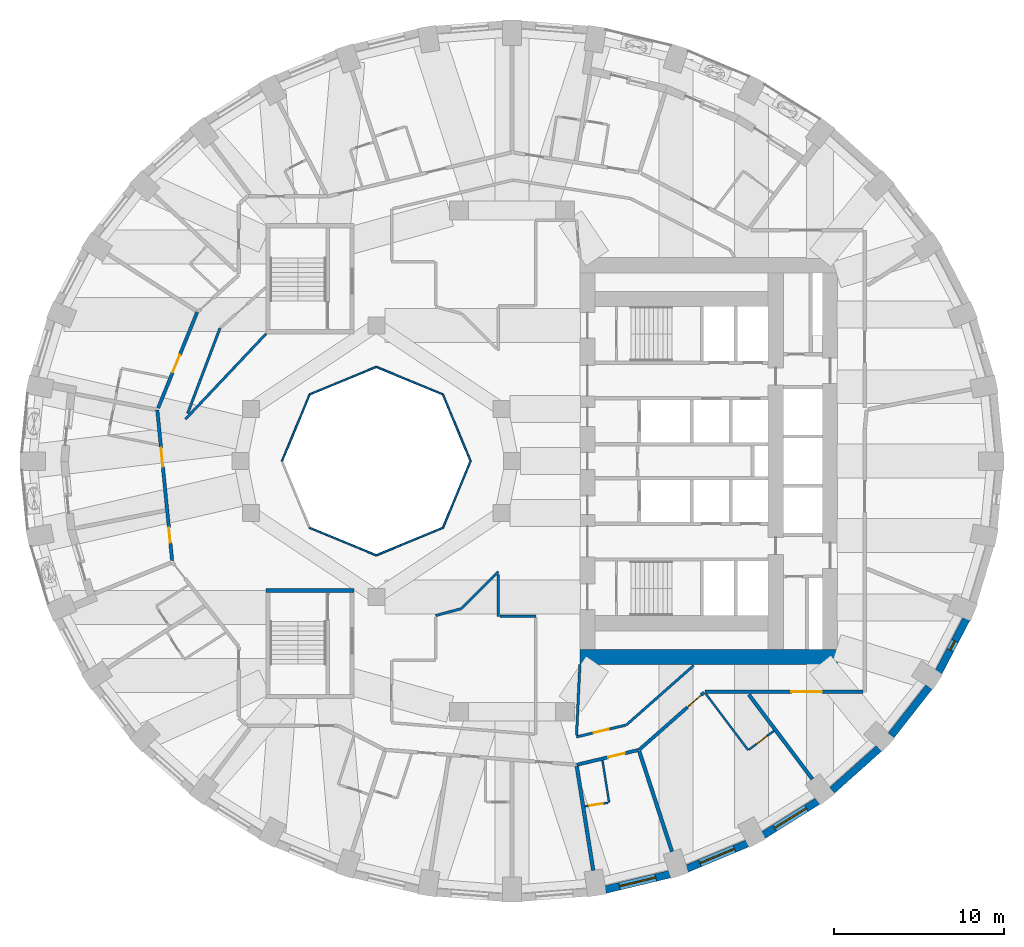
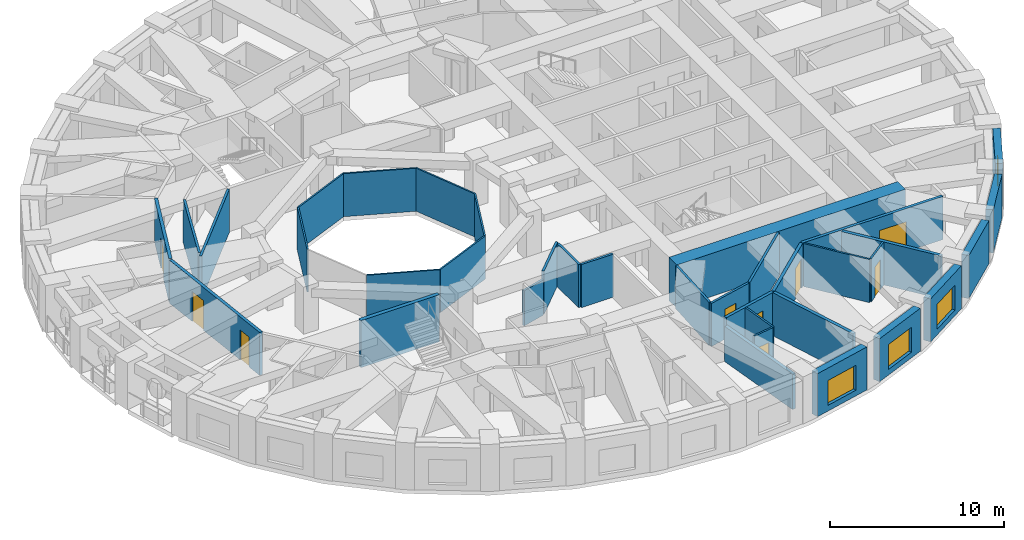
# One storey, part 5 of 13: 36 walls, 9 doors, 4 windows, 13 openings.
"""IFC4 building model written with IfcOpenShell, lengths in metres."""

from ifc_helpers import new_model, si_unit, direction, frame, frame_2d, origin, place, context, subcontext, project, spatial, rectangle, extrude, material, layer, layer_set, type_object, element, fill, save


model = new_model("IFC4")

# Units and contexts
model_context = context("Model", 3, precision=1e-05, world=origin(), true_north=direction((0.0, 1.0)))
body_context = subcontext(model_context, "Body", "Model", "MODEL_VIEW")
ifc_project = project(units=[si_unit("LENGTHUNIT", "METRE"), si_unit("AREAUNIT", "SQUARE_METRE"), si_unit("VOLUMEUNIT", "CUBIC_METRE"), si_unit("PLANEANGLEUNIT", "RADIAN"), si_unit("MASSUNIT", "GRAM", prefix="KILO")], contexts=[model_context])

# Site, building, storey
site_placement = place(None, origin())
site = spatial("IfcSite", under=ifc_project, at=site_placement, CompositionType="ELEMENT")
building_placement = place(site_placement, origin())
building = spatial("IfcBuilding", under=site, at=building_placement, Name="Taillehof Tower", CompositionType="ELEMENT")
storey_placement = place(building_placement, frame((0.0, 0.0, 67.89990234375)))
storey = spatial("IfcBuildingStorey", under=building, at=storey_placement, Name="L18", CompositionType="ELEMENT", Elevation=67.89990234375)

# Walls
ifc_material_1 = material(Name="Fire-resisting glass in steel frame", Category="steel")
ifc_layer_1 = layer(ifc_material_1, 0.10009765625)
ifc_layer_set_1 = layer_set([ifc_layer_1], Name="Atrium fire-resisting screen EI 60 100")
wall_type_1 = type_object("IfcWallType", Name="Atrium fire-resisting screen EI 60 100", PredefinedType="PARTITIONING", material=ifc_layer_set_1)
for number, where, z_axis, x_axis, name in (
    (1, (-2.44580078125, 0.0, 0.0), (0.0, 0.0, 1.0), (-0.382730523909, -0.923860025149, 0.0), "Atrium screen"),
    (2, (-4.07275390625, -3.92724609375, 0.0), (0.0, 0.0, 1.0), (-0.923860025149, -0.382730523909, 0.0), "Atrium screen"),
    (3, (-8.0, -5.55419921875, 0.0), (0.0, 0.0, 1.0), (-0.923860025149, 0.382730523909, 0.0), "Atrium screen"),
    (4, (-13.55419921875, 0.0, 0.0), (0.0, 0.0, 1.0), (0.382730523909, 0.923860025149, 0.0), "Atrium screen"),
    (5, (-11.92724609375, 3.92724609375, 0.0), (0.0, 0.0, 1.0), (0.923860025149, 0.382730523909, 0.0), "Atrium screen"),
    (6, (-8.0, 5.55419921875, 0.0), (0.0, 0.0, 1.0), (0.923860025149, -0.382730523909, 0.0), "Atrium screen"),
    (7, (-4.07275390625, 3.92724609375, 0.0), (0.0, 0.0, 1.0), (0.382730523909, -0.923860025149, 0.0), "Atrium screen"),
):
    element("IfcWall", number, at=place(storey_placement, frame(where, z_axis=z_axis, x_axis=x_axis)), inside=storey, type_object=wall_type_1, Name=name, PredefinedType="PARTITIONING", context=body_context, shape_type="SweptSolid", body=[
        extrude(rectangle(XDim=4.2509765625, YDim=0.10009765625, at=frame_2d((2.12548828125, 0.0))), origin(), (0.0, 0.0, 1.0), 3.02001953125),
    ])

# Wall, opening, window
ifc_material_2 = material(Name="Brick masonry", Category="masonry")
ifc_layer_2 = layer(ifc_material_2, 0.449951171875)
ifc_layer_set_2 = layer_set([ifc_layer_2], Name="Brick infill wall 450")
wall_type_2 = type_object("IfcWallType", Name="Brick infill wall 450", PredefinedType="SOLIDWALL", material=ifc_layer_set_2)
wall_1_placement = place(storey_placement, frame((5.50439453125, -25.260498046875, 0.0), z_axis=(0.0, 0.0, 1.0), x_axis=(0.972496561493, 0.232917233979, 0.0)))
wall_1 = element("IfcWall", 8, at=wall_1_placement, inside=storey, type_object=wall_type_2, Name="Brick wall L18 bay 29", PredefinedType="SOLIDWALL", context=body_context, shape_type="SweptSolid", body=[
    extrude(rectangle(XDim=3.910888671875, YDim=0.449951171875, at=frame_2d((1.95556640625, 0.0))), origin(), (0.0, 0.0, 1.0), 3.02001953125),
])
opening_1_placement = place(wall_1_placement, frame((0.855224609375, 0.0, 0.39990234375)))
opening_1 = element("IfcOpeningElement", 9, at=opening_1_placement, cuts=wall_1, Name="Opening W1", PredefinedType="OPENING", context=body_context, shape_type="SweptSolid", body=[
    extrude(rectangle(XDim=2.199951171875, YDim=1.75, at=frame_2d((1.10009765625, 0.875))), frame((0.0, 0.23486328125, 0.0), z_axis=(0.0, -1.0, 0.0), x_axis=(1.0, 0.0, 0.0)), (0.0, 0.0, 1.0), 0.469970703125),
])
ifc_material_3 = material(Name="Aluminium window frame with clear double glazing", Category="aluminium")
window_type_1 = type_object("IfcWindowType", Name="Deep-set window 2200x1750", PartitioningType="SINGLE_PANEL", PredefinedType="WINDOW", material=ifc_material_3)
window_1_placement = place(opening_1_placement, origin())
window_1 = element("IfcWindow", 10, at=window_1_placement, inside=storey, type_object=window_type_1, Name="W1", OverallHeight=1.75, OverallWidth=2.199951171875, PartitioningType="SINGLE_PANEL", PredefinedType="WINDOW", context=body_context, shape_type="SweptSolid", body=[
    extrude(rectangle(XDim=2.199951171875, YDim=1.75, at=frame_2d((1.10009765625, 0.875))), frame((0.0, 0.034912109375, 0.0), z_axis=(0.0, -1.0, 0.0), x_axis=(1.0, 0.0, 0.0)), (0.0, 0.0, 1.0), 0.06005859375),
])
fill(opening_1, window_1)

wall_2_placement = place(storey_placement, frame((10.3154296875, -24.02099609375, 0.0), z_axis=(0.0, 0.0, 1.0), x_axis=(0.923031964282, 0.384723267966, 0.0)))
wall_2 = element("IfcWall", 11, at=wall_2_placement, inside=storey, type_object=wall_type_2, Name="Brick wall L18 bay 30", PredefinedType="SOLIDWALL", context=body_context, shape_type="SweptSolid", body=[
    extrude(rectangle(XDim=3.8564453125, YDim=0.449951171875, at=frame_2d((1.92822265625, 0.0))), origin(), (0.0, 0.0, 1.0), 3.02001953125),
])
opening_2_placement = place(wall_2_placement, frame((0.828125, 0.0, 0.39990234375)))
opening_2 = element("IfcOpeningElement", 12, at=opening_2_placement, cuts=wall_2, Name="Opening W1", PredefinedType="OPENING", context=body_context, shape_type="SweptSolid", body=[
    extrude(rectangle(XDim=2.199951171875, YDim=1.75, at=frame_2d((1.10009765625, 0.875))), frame((0.0, 0.23486328125, 0.0), z_axis=(0.0, -1.0, 0.0), x_axis=(1.0, 0.0, 0.0)), (0.0, 0.0, 1.0), 0.469970703125),
])
window_2_placement = place(opening_2_placement, origin())
window_2 = element("IfcWindow", 13, at=window_2_placement, inside=storey, type_object=window_type_1, Name="W1", OverallHeight=1.75, OverallWidth=2.199951171875, PartitioningType="SINGLE_PANEL", PredefinedType="WINDOW", context=body_context, shape_type="SweptSolid", body=[
    extrude(rectangle(XDim=2.199951171875, YDim=1.75, at=frame_2d((1.10009765625, 0.875))), frame((0.0, 0.034912109375, 0.0), z_axis=(0.0, -1.0, 0.0), x_axis=(1.0, 0.0, 0.0)), (0.0, 0.0, 1.0), 0.06005859375),
])
fill(opening_2, window_2)

wall_3_placement = place(storey_placement, frame((14.81689453125, -22.050537109375, 0.0), z_axis=(0.0, 0.0, 1.0), x_axis=(0.847635480093, 0.530579016629, 0.0)))
wall_3 = element("IfcWall", 14, at=wall_3_placement, inside=storey, type_object=wall_type_2, Name="Brick wall L18 bay 31", PredefinedType="SOLIDWALL", context=body_context, shape_type="SweptSolid", body=[
    extrude(rectangle(XDim=3.782470703125, YDim=0.449951171875, at=frame_2d((1.89111328125, 0.0))), origin(), (0.0, 0.0, 1.0), 3.02001953125),
])
opening_3_placement = place(wall_3_placement, frame((0.791259765625, 0.0, 0.39990234375)))
opening_3 = element("IfcOpeningElement", 15, at=opening_3_placement, cuts=wall_3, Name="Opening W1", PredefinedType="OPENING", context=body_context, shape_type="SweptSolid", body=[
    extrude(rectangle(XDim=2.199951171875, YDim=1.75, at=frame_2d((1.10009765625, 0.875))), frame((0.0, 0.23486328125, 0.0), z_axis=(0.0, -1.0, 0.0), x_axis=(1.0, 0.0, 0.0)), (0.0, 0.0, 1.0), 0.469970703125),
])
window_3_placement = place(opening_3_placement, origin())
window_3 = element("IfcWindow", 16, at=window_3_placement, inside=storey, type_object=window_type_1, Name="W1", OverallHeight=1.75, OverallWidth=2.199951171875, PartitioningType="SINGLE_PANEL", PredefinedType="WINDOW", context=body_context, shape_type="SweptSolid", body=[
    extrude(rectangle(XDim=2.199951171875, YDim=1.75, at=frame_2d((1.10009765625, 0.875))), frame((0.0, 0.034912109375, 0.0), z_axis=(0.0, -1.0, 0.0), x_axis=(1.0, 0.0, 0.0)), (0.0, 0.0, 1.0), 0.06005859375),
])
fill(opening_3, window_3)

# Walls
wall_4_placement = place(storey_placement, frame((18.87060546875, -19.406982421875, 0.0), z_axis=(0.0, 0.0, 1.0), x_axis=(0.745526233716, 0.66647628228, 0.0)))
element("IfcWall", 17, at=wall_4_placement, inside=storey, type_object=wall_type_2, Name="Brick wall L18 bay 32", PredefinedType="SOLIDWALL", context=body_context, shape_type="SweptSolid", body=[
    extrude(rectangle(XDim=3.69677734375, YDim=0.449951171875, at=frame_2d((1.848388671875, 0.0))), origin(), (0.0, 0.0, 1.0), 3.02001953125),
])
wall_5_placement = place(storey_placement, frame((22.3515625, -16.169677734375, 0.0), z_axis=(0.0, 0.0, 1.0), x_axis=(0.616661975264, 0.787228053529, 0.0)))
element("IfcWall", 18, at=wall_5_placement, inside=storey, type_object=wall_type_2, Name="Brick wall L18 bay 33", PredefinedType="SOLIDWALL", context=body_context, shape_type="SweptSolid", body=[
    extrude(rectangle(XDim=3.60986328125, YDim=0.449951171875, at=frame_2d((1.804931640625, 0.0))), origin(), (0.0, 0.0, 1.0), 3.02001953125),
])

# Wall, opening, window
wall_6_placement = place(storey_placement, frame((25.152099609375, -12.436767578125, 0.0), z_axis=(0.0, 0.0, 1.0), x_axis=(0.462492775226, 0.886623050041, 0.0)))
wall_6 = element("IfcWall", 19, at=wall_6_placement, inside=storey, type_object=wall_type_2, Name="Brick wall L18 bay 34", PredefinedType="SOLIDWALL", context=body_context, shape_type="SweptSolid", body=[
    extrude(rectangle(XDim=3.531982421875, YDim=0.449951171875, at=frame_2d((1.76611328125, 0.0))), origin(), (0.0, 0.0, 1.0), 3.02001953125),
])
opening_4_placement = place(wall_6_placement, frame((1.466064453125, 0.0, 0.39990234375)))
opening_4 = element("IfcOpeningElement", 20, at=opening_4_placement, cuts=wall_6, Name="Opening W6", PredefinedType="OPENING", context=body_context, shape_type="SweptSolid", body=[
    extrude(rectangle(XDim=0.60009765625, YDim=1.75, at=frame_2d((0.300048828125, 0.875))), frame((0.0, 0.23486328125, 0.0), z_axis=(0.0, -1.0, 0.0), x_axis=(1.0, 0.0, 0.0)), (0.0, 0.0, 1.0), 0.469970703125),
])
ifc_material_4 = material(Name="Aluminium window frame with clear double glazing", Category="aluminium")
window_type_2 = type_object("IfcWindowType", Name="Slot window 600x1750", PartitioningType="SINGLE_PANEL", PredefinedType="WINDOW", material=ifc_material_4)
window_4_placement = place(opening_4_placement, origin())
window_4 = element("IfcWindow", 21, at=window_4_placement, inside=storey, type_object=window_type_2, Name="W6", OverallHeight=1.75, OverallWidth=0.60009765625, PartitioningType="SINGLE_PANEL", PredefinedType="WINDOW", context=body_context, shape_type="SweptSolid", body=[
    extrude(rectangle(XDim=0.60009765625, YDim=1.75, at=frame_2d((0.300048828125, 0.875))), frame((0.0, 0.034912109375, 0.0), z_axis=(0.0, -1.0, 0.0), x_axis=(1.0, 0.0, 0.0)), (0.0, 0.0, 1.0), 0.06005859375),
])
fill(opening_4, window_4)

# Wall, opening, door
ifc_material_5 = material(Name="Gypsum board on steel studs, two layers each side", Category="steel")
ifc_layer_3 = layer(ifc_material_5, 0.199951171875)
ifc_layer_set_3 = layer_set([ifc_layer_3], Name="Compartment wall corridor 200")
wall_type_3 = type_object("IfcWallType", Name="Compartment wall corridor 200", PredefinedType="PARTITIONING", material=ifc_layer_set_3)
wall_7_placement = place(storey_placement, frame((20.699951171875, -13.60009765625, 0.0), z_axis=(0.0, 0.0, 1.0), x_axis=(-1.0, 0.0, 0.0)))
wall_7 = element("IfcWall", 22, at=wall_7_placement, inside=storey, type_object=wall_type_3, Name="Compartment wall", PredefinedType="PARTITIONING", context=body_context, shape_type="SweptSolid", body=[
    extrude(rectangle(XDim=9.3310546875, YDim=0.199951171875, at=frame_2d((4.66552734375, 0.0))), origin(), (0.0, 0.0, 1.0), 3.02001953125),
])
opening_5_placement = place(wall_7_placement, frame((2.436279296875, 0.0, 0.0)))
opening_5 = element("IfcOpeningElement", 23, at=opening_5_placement, cuts=wall_7, Name="Opening D1875", PredefinedType="OPENING", context=body_context, shape_type="SweptSolid", body=[
    extrude(rectangle(XDim=1.800048828125, YDim=2.10009765625, at=frame_2d((0.89990234375, 1.050048828125))), frame((0.0, 0.10986328125, 0.0), z_axis=(0.0, -1.0, 0.0), x_axis=(1.0, 0.0, 0.0)), (0.0, 0.0, 1.0), 0.219970703125),
])
ifc_material_6 = material(Name="Timber door leaf in steel frame", Category="steel")
door_type_1 = type_object("IfcDoorType", Name="Lounge and meeting room double door EI 30 1800 x 2100", OperationType="SINGLE_SWING_LEFT", PredefinedType="DOOR", material=ifc_material_6)
door_1_placement = place(opening_5_placement, origin())
door_1 = element("IfcDoor", 24, at=door_1_placement, inside=storey, type_object=door_type_1, Name="D1875", OperationType="DOUBLE_DOOR_SINGLE_SWING", OverallHeight=2.10009765625, OverallWidth=1.800048828125, PredefinedType="DOOR", context=body_context, shape_type="SweptSolid", body=[
    extrude(rectangle(XDim=1.800048828125, YDim=2.10009765625, at=frame_2d((0.89990234375, 1.050048828125))), frame((0.0, 0.02490234375, 0.0), z_axis=(0.0, -1.0, 0.0), x_axis=(1.0, 0.0, 0.0)), (0.0, 0.0, 1.0), 0.050048828125),
])
fill(opening_5, door_1)

wall_8_placement = place(storey_placement, frame((11.32421875, -13.6396484375, 0.0), z_axis=(0.0, 0.0, 1.0), x_axis=(-0.749661905767, -0.661820993201, 0.0)))
wall_8 = element("IfcWall", 25, at=wall_8_placement, inside=storey, type_object=wall_type_3, Name="Compartment wall", PredefinedType="PARTITIONING", context=body_context, shape_type="SweptSolid", body=[
    extrude(rectangle(XDim=5.102783203125, YDim=0.199951171875, at=frame_2d((2.55126953125, 0.0))), origin(), (0.0, 0.0, 1.0), 3.02001953125),
])
opening_6_placement = place(wall_8_placement, frame((0.219970703125, 0.0, 0.0)))
opening_6 = element("IfcOpeningElement", 26, at=opening_6_placement, cuts=wall_8, Name="Opening D1873", PredefinedType="OPENING", context=body_context, shape_type="SweptSolid", body=[
    extrude(rectangle(XDim=1.10009765625, YDim=2.10009765625, at=frame_2d((0.550048828125, 1.050048828125))), frame((0.0, 0.10986328125, 0.0), z_axis=(0.0, -1.0, 0.0), x_axis=(1.0, 0.0, 0.0)), (0.0, 0.0, 1.0), 0.219970703125),
])
ifc_material_7 = material(Name="Timber door leaf in steel frame", Category="steel")
door_type_2 = type_object("IfcDoorType", Name="Suite entrance door EI 30 1100 x 2100", OperationType="SINGLE_SWING_LEFT", PredefinedType="DOOR", material=ifc_material_7)
door_2_placement = place(opening_6_placement, origin())
door_2 = element("IfcDoor", 27, at=door_2_placement, inside=storey, type_object=door_type_2, Name="D1873", OperationType="SINGLE_SWING_LEFT", OverallHeight=2.10009765625, OverallWidth=1.10009765625, PredefinedType="DOOR", context=body_context, shape_type="SweptSolid", body=[
    extrude(rectangle(XDim=1.10009765625, YDim=2.10009765625, at=frame_2d((0.550048828125, 1.050048828125))), frame((0.0, 0.02490234375, 0.0), z_axis=(0.0, -1.0, 0.0), x_axis=(1.0, 0.0, 0.0)), (0.0, 0.0, 1.0), 0.050048828125),
])
fill(opening_6, door_2)

wall_9_placement = place(storey_placement, frame((7.459716796875, -17.026123046875, 0.0), z_axis=(0.0, 0.0, 1.0), x_axis=(-0.972358893616, -0.233491288928, 0.0)))
wall_9 = element("IfcWall", 28, at=wall_9_placement, inside=storey, type_object=wall_type_3, Name="Compartment wall", PredefinedType="PARTITIONING", context=body_context, shape_type="SweptSolid", body=[
    extrude(rectangle(XDim=3.745361328125, YDim=0.199951171875, at=frame_2d((1.87255859375, 0.0))), origin(), (0.0, 0.0, 1.0), 3.02001953125),
])
opening_7_placement = place(wall_9_placement, frame((0.838134765625, 0.0, 0.0)))
opening_7 = element("IfcOpeningElement", 29, at=opening_7_placement, cuts=wall_9, Name="Opening D1871", PredefinedType="OPENING", context=body_context, shape_type="SweptSolid", body=[
    extrude(rectangle(XDim=1.0, YDim=2.10009765625, at=frame_2d((0.5, 1.050048828125))), frame((0.0, 0.10986328125, 0.0), z_axis=(0.0, -1.0, 0.0), x_axis=(1.0, 0.0, 0.0)), (0.0, 0.0, 1.0), 0.219970703125),
])
ifc_material_8 = material(Name="Timber door leaf in steel frame", Category="steel")
door_type_3 = type_object("IfcDoorType", Name="Guest room door EI 30 1000 x 2100", OperationType="SINGLE_SWING_LEFT", PredefinedType="DOOR", material=ifc_material_8)
door_3_placement = place(opening_7_placement, origin())
door_3 = element("IfcDoor", 30, at=door_3_placement, inside=storey, type_object=door_type_3, Name="D1871", OperationType="SINGLE_SWING_RIGHT", OverallHeight=2.10009765625, OverallWidth=1.0, PredefinedType="DOOR", context=body_context, shape_type="SweptSolid", body=[
    extrude(rectangle(XDim=1.0, YDim=2.10009765625, at=frame_2d((0.5, 1.050048828125))), frame((0.0, 0.02490234375, 0.0), z_axis=(0.0, -1.0, 0.0), x_axis=(1.0, 0.0, 0.0)), (0.0, 0.0, 1.0), 0.050048828125),
])
fill(opening_7, door_3)

# Wall, openings, doors
wall_10_placement = place(storey_placement, frame((-20.03369140625, -5.8583984375, 0.0), z_axis=(0.0, 0.0, 1.0), x_axis=(-0.097894942705, 0.995196754513, 0.0)))
wall_10 = element("IfcWall", 31, at=wall_10_placement, inside=storey, type_object=wall_type_3, Name="Compartment wall", PredefinedType="PARTITIONING", context=body_context, shape_type="SweptSolid", body=[
    extrude(rectangle(XDim=8.91064453125, YDim=0.199951171875, at=frame_2d((4.455322265625, 0.0))), origin(), (0.0, 0.0, 1.0), 3.02001953125),
])
opening_8_placement = place(wall_10_placement, frame((5.56494140625, 0.0, 0.0)))
opening_8 = element("IfcOpeningElement", 32, at=opening_8_placement, cuts=wall_10, Name="Opening D1857", PredefinedType="OPENING", context=body_context, shape_type="SweptSolid", body=[
    extrude(rectangle(XDim=1.10009765625, YDim=2.10009765625, at=frame_2d((0.550048828125, 1.050048828125))), frame((0.0, 0.10986328125, 0.0), z_axis=(0.0, -1.0, 0.0), x_axis=(1.0, 0.0, 0.0)), (0.0, 0.0, 1.0), 0.219970703125),
])
opening_9_placement = place(wall_10_placement, frame((1.043701171875, 0.0, 0.0)))
opening_9 = element("IfcOpeningElement", 33, at=opening_9_placement, cuts=wall_10, Name="Opening D1859", PredefinedType="OPENING", context=body_context, shape_type="SweptSolid", body=[
    extrude(rectangle(XDim=0.89990234375, YDim=2.10009765625, at=frame_2d((0.449951171875, 1.050048828125))), frame((0.0, 0.10986328125, 0.0), z_axis=(0.0, -1.0, 0.0), x_axis=(1.0, 0.0, 0.0)), (0.0, 0.0, 1.0), 0.219970703125),
])
ifc_material_9 = material(Name="Timber door leaf in steel frame", Category="steel")
door_type_4 = type_object("IfcDoorType", Name="Service room door EI 30 900 x 2100", OperationType="SINGLE_SWING_LEFT", PredefinedType="DOOR", material=ifc_material_9)
door_4_placement = place(opening_9_placement, origin())
door_4 = element("IfcDoor", 34, at=door_4_placement, inside=storey, type_object=door_type_4, Name="D1859", OperationType="SINGLE_SWING_RIGHT", OverallHeight=2.10009765625, OverallWidth=0.89990234375, PredefinedType="DOOR", context=body_context, shape_type="SweptSolid", body=[
    extrude(rectangle(XDim=0.89990234375, YDim=2.10009765625, at=frame_2d((0.449951171875, 1.050048828125))), frame((0.0, 0.02490234375, 0.0), z_axis=(0.0, -1.0, 0.0), x_axis=(1.0, 0.0, 0.0)), (0.0, 0.0, 1.0), 0.050048828125),
])
fill(opening_9, door_4)
door_5_placement = place(opening_8_placement, origin())
door_5 = element("IfcDoor", 35, at=door_5_placement, inside=storey, type_object=door_type_2, Name="D1857", OperationType="SINGLE_SWING_RIGHT", OverallHeight=2.10009765625, OverallWidth=1.10009765625, PredefinedType="DOOR", context=body_context, shape_type="SweptSolid", body=[
    extrude(rectangle(XDim=1.10009765625, YDim=2.10009765625, at=frame_2d((0.550048828125, 1.050048828125))), frame((0.0, 0.02490234375, 0.0), z_axis=(0.0, -1.0, 0.0), x_axis=(1.0, 0.0, 0.0)), (0.0, 0.0, 1.0), 0.050048828125),
])
fill(opening_8, door_5)

# Wall, opening, door
wall_11_placement = place(storey_placement, frame((-20.860595703125, 3.120849609375, 0.0), z_axis=(0.0, 0.0, 1.0), x_axis=(0.377214346955, 0.926125983034, 0.0)))
wall_11 = element("IfcWall", 36, at=wall_11_placement, inside=storey, type_object=wall_type_3, Name="Compartment wall", PredefinedType="PARTITIONING", context=body_context, shape_type="SweptSolid", body=[
    extrude(rectangle(XDim=6.107177734375, YDim=0.199951171875, at=frame_2d((3.0537109375, 0.0))), origin(), (0.0, 0.0, 1.0), 3.02001953125),
])
opening_10_placement = place(wall_11_placement, frame((2.284912109375, 0.0, 0.0)))
opening_10 = element("IfcOpeningElement", 37, at=opening_10_placement, cuts=wall_11, Name="Opening D1855", PredefinedType="OPENING", context=body_context, shape_type="SweptSolid", body=[
    extrude(rectangle(XDim=1.10009765625, YDim=2.10009765625, at=frame_2d((0.550048828125, 1.050048828125))), frame((0.0, 0.10986328125, 0.0), z_axis=(0.0, -1.0, 0.0), x_axis=(1.0, 0.0, 0.0)), (0.0, 0.0, 1.0), 0.219970703125),
])
door_6_placement = place(opening_10_placement, origin())
door_6 = element("IfcDoor", 38, at=door_6_placement, inside=storey, type_object=door_type_2, Name="D1855", OperationType="SINGLE_SWING_LEFT", OverallHeight=2.10009765625, OverallWidth=1.10009765625, PredefinedType="DOOR", context=body_context, shape_type="SweptSolid", body=[
    extrude(rectangle(XDim=1.10009765625, YDim=2.10009765625, at=frame_2d((0.550048828125, 1.050048828125))), frame((0.0, 0.02490234375, 0.0), z_axis=(0.0, -1.0, 0.0), x_axis=(1.0, 0.0, 0.0)), (0.0, 0.0, 1.0), 0.050048828125),
])
fill(opening_10, door_6)

# Walls
ifc_material_10 = material(Name="Gypsum board on double steel studs with mineral wool", Category="steel")
ifc_layer_4 = layer(ifc_material_10, 0.219970703125)
ifc_layer_set_4 = layer_set([ifc_layer_4], Name="Compartment wall guest room 220")
wall_type_4 = type_object("IfcWallType", Name="Compartment wall guest room 220", PredefinedType="PARTITIONING", material=ifc_layer_set_4)
wall_12_placement = place(storey_placement, frame((4.788330078125, -24.12548828125, 0.0), z_axis=(0.0, 0.0, 1.0), x_axis=(-0.156104021501, 0.987740621049, 0.0)))
element("IfcWall", 39, at=wall_12_placement, inside=storey, type_object=wall_type_4, Name="Compartment wall", PredefinedType="PARTITIONING", context=body_context, shape_type="SweptSolid", body=[
    extrude(rectangle(XDim=6.204345703125, YDim=0.219970703125, at=frame_2d((3.10205078125, 0.0))), origin(), (0.0, 0.0, 1.0), 2.47021484375),
])
wall_13_placement = place(storey_placement, frame((9.429443359375, -23.01416015625, 0.0), z_axis=(0.0, 0.0, 1.0), x_axis=(-0.310234080117, 0.950660199826, 0.0)))
element("IfcWall", 40, at=wall_13_placement, inside=storey, type_object=wall_type_4, Name="Compartment wall", PredefinedType="PARTITIONING", context=body_context, shape_type="SweptSolid", body=[
    extrude(rectangle(XDim=6.201904296875, YDim=0.219970703125, at=frame_2d((3.10107421875, 0.0))), origin(), (0.0, 0.0, 1.0), 3.02001953125),
])
wall_14_placement = place(storey_placement, frame((17.707763671875, -18.7431640625, 0.0), z_axis=(0.0, 0.0, 1.0), x_axis=(-0.601177883261, 0.799115231164, 0.0)))
element("IfcWall", 41, at=wall_14_placement, inside=storey, type_object=wall_type_4, Name="Compartment wall", PredefinedType="PARTITIONING", context=body_context, shape_type="SweptSolid", body=[
    extrude(rectangle(XDim=6.231201171875, YDim=0.219970703125, at=frame_2d((3.11572265625, 0.0))), origin(), (0.0, 0.0, 1.0), 3.02001953125),
])
ifc_material_11 = material(Name="Gypsum board on steel studs, two layers each side", Category="steel")
ifc_layer_5 = layer(ifc_material_11, 0.14990234375)
ifc_layer_set_5 = layer_set([ifc_layer_5], Name="Compartment wall service room 150")
wall_type_5 = type_object("IfcWallType", Name="Compartment wall service room 150", PredefinedType="PARTITIONING", material=ifc_layer_set_5)
wall_15_placement = place(storey_placement, frame((-14.499267578125, 7.500732421875, 0.0), z_axis=(0.0, 0.0, 1.0), x_axis=(-0.686403699782, -0.727220709913, 0.0)))
element("IfcWall", 42, at=wall_15_placement, inside=storey, type_object=wall_type_5, Name="Compartment wall", PredefinedType="PARTITIONING", context=body_context, shape_type="SweptSolid", body=[
    extrude(rectangle(XDim=6.91455078125, YDim=0.14990234375, at=frame_2d((3.457275390625, 0.0))), origin(), (0.0, 0.0, 1.0), 3.02001953125),
])
wall_16_placement = place(storey_placement, frame((-19.117919921875, 2.810791015625, 0.0), z_axis=(0.0, 0.0, 1.0), x_axis=(0.35451573991, 0.935050046872, 0.0)))
element("IfcWall", 43, at=wall_16_placement, inside=storey, type_object=wall_type_5, Name="Compartment wall", PredefinedType="PARTITIONING", context=body_context, shape_type="SweptSolid", body=[
    extrude(rectangle(XDim=5.367431640625, YDim=0.14990234375, at=frame_2d((2.68359375, 0.0))), origin(), (0.0, 0.0, 1.0), 3.02001953125),
])
wall_17_placement = place(storey_placement, frame((-4.5, -9.104248046875, 0.0), z_axis=(0.0, 0.0, 1.0), x_axis=(0.965938363316, 0.258772251746, 0.0)))
element("IfcWall", 44, at=wall_17_placement, inside=storey, type_object=wall_type_5, Name="Compartment wall", PredefinedType="PARTITIONING", context=body_context, shape_type="SweptSolid", body=[
    extrude(rectangle(XDim=1.57470703125, YDim=0.14990234375, at=frame_2d((0.787353515625, 0.0))), origin(), (0.0, 0.0, 1.0), 2.47021484375),
])
wall_18_placement = place(storey_placement, frame((-2.95068359375, -8.66845703125, 0.0), z_axis=(0.0, 0.0, 1.0), x_axis=(0.707106781187, 0.707106781187, 0.0)))
element("IfcWall", 45, at=wall_18_placement, inside=storey, type_object=wall_type_5, Name="Compartment wall", PredefinedType="PARTITIONING", context=body_context, shape_type="SweptSolid", body=[
    extrude(rectangle(XDim=3.04150390625, YDim=0.14990234375, at=frame_2d((1.520751953125, 0.0))), origin(), (0.0, 0.0, 1.0), 3.02001953125),
])
wall_19_placement = place(storey_placement, frame((-0.800048828125, -6.697998046875, 0.0), z_axis=(0.0, 0.0, 1.0), x_axis=(0.0, -1.0, 0.0)))
element("IfcWall", 46, at=wall_19_placement, inside=storey, type_object=wall_type_5, Name="Compartment wall", PredefinedType="PARTITIONING", context=body_context, shape_type="SweptSolid", body=[
    extrude(rectangle(XDim=2.451904296875, YDim=0.14990234375, at=frame_2d((1.22607421875, 0.0))), origin(), (0.0, 0.0, 1.0), 3.02001953125),
])
wall_20_placement = place(storey_placement, frame((-0.719970703125, -9.14990234375, 0.0), z_axis=(0.0, 0.0, 1.0), x_axis=(1.0, 0.0, 0.0)))
element("IfcWall", 47, at=wall_20_placement, inside=storey, type_object=wall_type_5, Name="Compartment wall", PredefinedType="PARTITIONING", context=body_context, shape_type="SweptSolid", body=[
    extrude(rectangle(XDim=2.119873046875, YDim=0.14990234375, at=frame_2d((1.06005859375, 0.0))), origin(), (0.0, 0.0, 1.0), 3.02001953125),
])
wall_21_placement = place(storey_placement, frame((10.7041015625, -12.052490234375, 0.0), z_axis=(0.0, 0.0, 1.0), x_axis=(-0.749630421232, -0.661856654846, 0.0)))
element("IfcWall", 48, at=wall_21_placement, inside=storey, type_object=wall_type_5, Name="Compartment wall", PredefinedType="PARTITIONING", context=body_context, shape_type="SweptSolid", body=[
    extrude(rectangle(XDim=5.290283203125, YDim=0.14990234375, at=frame_2d((2.64501953125, 0.0))), origin(), (0.0, 0.0, 1.0), 3.02001953125),
])

# Wall, opening, door
wall_22_placement = place(storey_placement, frame((6.69921875, -15.563232421875, 0.0), z_axis=(0.0, 0.0, 1.0), x_axis=(-0.972350126815, -0.233527794668, 0.0)))
wall_22 = element("IfcWall", 49, at=wall_22_placement, inside=storey, type_object=wall_type_5, Name="Compartment wall", PredefinedType="PARTITIONING", context=body_context, shape_type="SweptSolid", body=[
    extrude(rectangle(XDim=2.981689453125, YDim=0.14990234375, at=frame_2d((1.49072265625, 0.0))), origin(), (0.0, 0.0, 1.0), 3.02001953125),
])
opening_11_placement = place(wall_22_placement, frame((1.040771484375, 0.0, 0.0)))
opening_11 = element("IfcOpeningElement", 50, at=opening_11_placement, cuts=wall_22, Name="Opening D1882", PredefinedType="OPENING", context=body_context, shape_type="SweptSolid", body=[
    extrude(rectangle(XDim=0.89990234375, YDim=2.10009765625, at=frame_2d((0.449951171875, 1.050048828125))), frame((0.0, 0.0849609375, 0.0), z_axis=(0.0, -1.0, 0.0), x_axis=(1.0, 0.0, 0.0)), (0.0, 0.0, 1.0), 0.169921875),
])
door_7_placement = place(opening_11_placement, origin())
door_7 = element("IfcDoor", 51, at=door_7_placement, inside=storey, type_object=door_type_4, Name="D1882", OperationType="SINGLE_SWING_LEFT", OverallHeight=2.10009765625, OverallWidth=0.89990234375, PredefinedType="DOOR", context=body_context, shape_type="SweptSolid", body=[
    extrude(rectangle(XDim=0.89990234375, YDim=2.10009765625, at=frame_2d((0.449951171875, 1.050048828125))), frame((0.0, 0.02490234375, 0.0), z_axis=(0.0, -1.0, 0.0), x_axis=(1.0, 0.0, 0.0)), (0.0, 0.0, 1.0), 0.050048828125),
])
fill(opening_11, door_7)

# Walls
wall_23_placement = place(storey_placement, frame((3.804931640625, -16.159423828125, 0.0), z_axis=(0.0, 0.0, 1.0), x_axis=(0.046832724682, 0.998902745966, 0.0)))
element("IfcWall", 52, at=wall_23_placement, inside=storey, type_object=wall_type_5, Name="Compartment wall", PredefinedType="PARTITIONING", context=body_context, shape_type="SweptSolid", body=[
    extrude(rectangle(XDim=4.165283203125, YDim=0.14990234375, at=frame_2d((2.08251953125, 0.0))), origin(), (0.0, 0.0, 1.0), 3.02001953125),
])
ifc_material_12 = material(Name="Concrete C80/95", Category="concrete")
ifc_layer_6 = layer(ifc_material_12, 0.89990234375)
ifc_layer_set_6 = layer_set([ifc_layer_6], Name="Core wall C80/95 900")
wall_type_6 = type_object("IfcWallType", Name="Core wall C80/95 900", PredefinedType="SHEAR", material=ifc_layer_set_6)
wall_24_placement = place(storey_placement, frame((4.0, -11.550048828125, 0.0), z_axis=(0.0, 0.0, 1.0), x_axis=(1.0, 0.0, 0.0)))
element("IfcWall", 53, at=wall_24_placement, inside=storey, type_object=wall_type_6, Name="Core wall CW04", PredefinedType="SHEAR", context=body_context, shape_type="SweptSolid", body=[
    extrude(rectangle(XDim=15.199951171875, YDim=0.89990234375, at=frame_2d((7.60009765625, 0.0))), origin(), (0.0, 0.0, 1.0), 3.02001953125),
])
ifc_material_13 = material(Name="Gypsum board on steel studs, moisture resistant", Category="steel")
ifc_layer_7 = layer(ifc_material_13, 0.1201171875)
ifc_layer_set_7 = layer_set([ifc_layer_7], Name="En-suite wall 120")
wall_type_7 = type_object("IfcWallType", Name="En-suite wall 120", PredefinedType="PARTITIONING", material=ifc_layer_set_7)
wall_25_placement = place(storey_placement, frame((5.332275390625, -17.639892578125, 0.0), z_axis=(0.0, 0.0, 1.0), x_axis=(0.156201560676, -0.987725200874, 0.0)))
element("IfcWall", 54, at=wall_25_placement, inside=storey, type_object=wall_type_7, Name="En-suite wall", PredefinedType="PARTITIONING", context=body_context, shape_type="SweptSolid", body=[
    extrude(rectangle(XDim=2.51806640625, YDim=0.1201171875, at=frame_2d((1.259033203125, 0.0))), origin(), (0.0, 0.0, 1.0), 3.02001953125),
])
wall_26_placement = place(storey_placement, frame((11.435302734375, -13.73193359375, 0.0), z_axis=(0.0, 0.0, 1.0), x_axis=(0.601141274104, -0.799142771079, 0.0)))
element("IfcWall", 55, at=wall_26_placement, inside=storey, type_object=wall_type_7, Name="En-suite wall", PredefinedType="PARTITIONING", context=body_context, shape_type="SweptSolid", body=[
    extrude(rectangle(XDim=4.13916015625, YDim=0.1201171875, at=frame_2d((2.069580078125, 0.0))), origin(), (0.0, 0.0, 1.0), 3.02001953125),
])

# Wall, opening, door
wall_27_placement = place(storey_placement, frame((5.666259765625, -20.13623046875, 0.0), z_axis=(0.0, 0.0, 1.0), x_axis=(-0.987722767831, -0.156216945011, 0.0)))
wall_27 = element("IfcWall", 56, at=wall_27_placement, inside=storey, type_object=wall_type_7, Name="En-suite wall", PredefinedType="PARTITIONING", context=body_context, shape_type="SweptSolid", body=[
    extrude(rectangle(XDim=1.3798828125, YDim=0.1201171875, at=frame_2d((0.68994140625, 0.0))), origin(), (0.0, 0.0, 1.0), 3.02001953125),
])
opening_12_placement = place(wall_27_placement, frame((0.31494140625, 0.0, 0.0)))
opening_12 = element("IfcOpeningElement", 57, at=opening_12_placement, cuts=wall_27, Name="Opening D1872", PredefinedType="OPENING", context=body_context, shape_type="SweptSolid", body=[
    extrude(rectangle(XDim=0.800048828125, YDim=2.10009765625, at=frame_2d((0.39990234375, 1.050048828125))), frame((0.0, 0.070068359375, 0.0), z_axis=(0.0, -1.0, 0.0), x_axis=(1.0, 0.0, 0.0)), (0.0, 0.0, 1.0), 0.14013671875),
])
ifc_material_14 = material(Name="Timber door leaf in steel frame", Category="steel")
door_type_5 = type_object("IfcDoorType", Name="En-suite door 800 x 2100", OperationType="SINGLE_SWING_LEFT", PredefinedType="DOOR", material=ifc_material_14)
door_8_placement = place(opening_12_placement, origin())
door_8 = element("IfcDoor", 58, at=door_8_placement, inside=storey, type_object=door_type_5, Name="D1872", OperationType="SINGLE_SWING_LEFT", OverallHeight=2.10009765625, OverallWidth=0.800048828125, PredefinedType="DOOR", context=body_context, shape_type="SweptSolid", body=[
    extrude(rectangle(XDim=0.800048828125, YDim=2.10009765625, at=frame_2d((0.39990234375, 1.050048828125))), frame((0.0, 0.02490234375, 0.0), z_axis=(0.0, -1.0, 0.0), x_axis=(1.0, 0.0, 0.0)), (0.0, 0.0, 1.0), 0.050048828125),
])
fill(opening_12, door_8)

wall_28_placement = place(storey_placement, frame((13.97119140625, -17.00390625, 0.0), z_axis=(0.0, 0.0, 1.0), x_axis=(0.799231057954, 0.60102388971, 0.0)))
wall_28 = element("IfcWall", 59, at=wall_28_placement, inside=storey, type_object=wall_type_7, Name="En-suite wall", PredefinedType="PARTITIONING", context=body_context, shape_type="SweptSolid", body=[
    extrude(rectangle(XDim=1.830322265625, YDim=0.1201171875, at=frame_2d((0.9150390625, 0.0))), origin(), (0.0, 0.0, 1.0), 3.02001953125),
])
opening_13_placement = place(wall_28_placement, frame((0.540283203125, 0.0, 0.0)))
opening_13 = element("IfcOpeningElement", 60, at=opening_13_placement, cuts=wall_28, Name="Opening D1874", PredefinedType="OPENING", context=body_context, shape_type="SweptSolid", body=[
    extrude(rectangle(XDim=0.800048828125, YDim=2.10009765625, at=frame_2d((0.39990234375, 1.050048828125))), frame((0.0, 0.070068359375, 0.0), z_axis=(0.0, -1.0, 0.0), x_axis=(1.0, 0.0, 0.0)), (0.0, 0.0, 1.0), 0.14013671875),
])
door_9_placement = place(opening_13_placement, origin())
door_9 = element("IfcDoor", 61, at=door_9_placement, inside=storey, type_object=door_type_5, Name="D1874", OperationType="SINGLE_SWING_LEFT", OverallHeight=2.10009765625, OverallWidth=0.800048828125, PredefinedType="DOOR", context=body_context, shape_type="SweptSolid", body=[
    extrude(rectangle(XDim=0.800048828125, YDim=2.10009765625, at=frame_2d((0.39990234375, 1.050048828125))), frame((0.0, 0.02490234375, 0.0), z_axis=(0.0, -1.0, 0.0), x_axis=(1.0, 0.0, 0.0)), (0.0, 0.0, 1.0), 0.050048828125),
])
fill(opening_13, door_9)

# Wall
ifc_material_15 = material(Name="Concrete C50/60", Category="concrete")
ifc_layer_8 = layer(ifc_material_15, 0.25)
ifc_layer_set_8 = layer_set([ifc_layer_8], Name="Stair wall C50/60 250")
wall_type_8 = type_object("IfcWallType", Name="Stair wall C50/60 250", PredefinedType="SHEAR", material=ifc_layer_set_8)
wall_29_placement = place(storey_placement, frame((-14.5, -7.625, -0.27978515625), z_axis=(0.0, 0.0, 1.0), x_axis=(1.0, 0.0, 0.0)))
element("IfcWall", 62, at=wall_29_placement, inside=storey, type_object=wall_type_8, Name="Stair wall SC", PredefinedType="SHEAR", context=body_context, shape_type="SweptSolid", body=[
    extrude(rectangle(XDim=5.199951171875, YDim=0.25, at=frame_2d((2.60009765625, 0.0))), origin(), (0.0, 0.0, 1.0), 3.2998046875),
])

save(model, "model.ifc")
